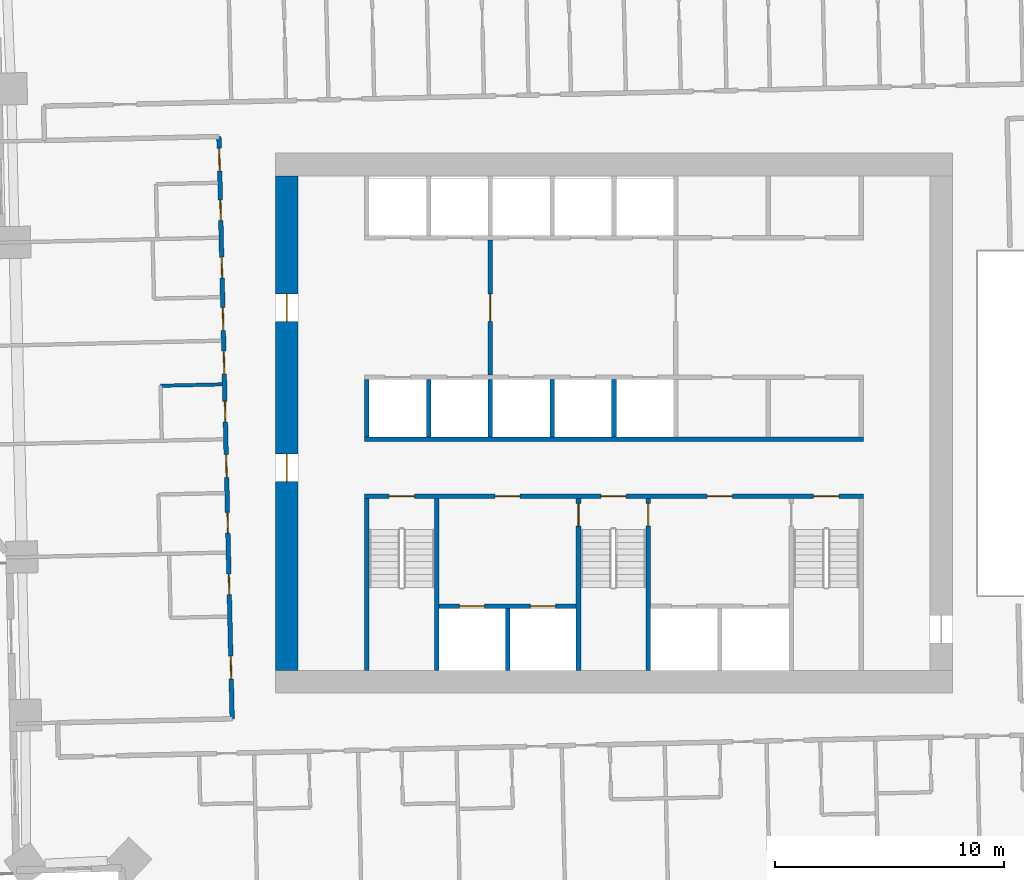
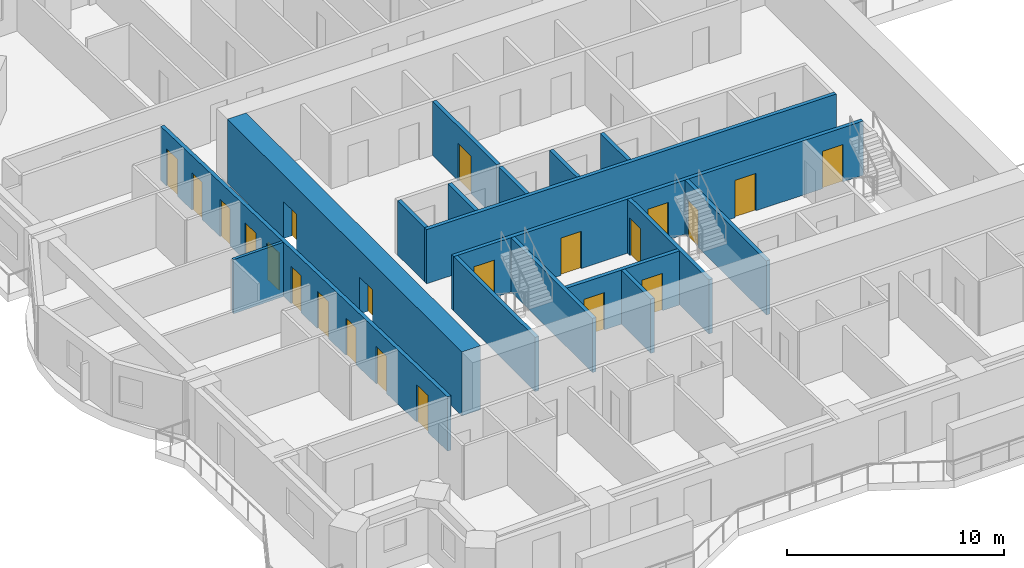
# One storey, part 8 of 17: 22 doors, 17 walls, 22 openings.
"""IFC4 building model written with IfcOpenShell, lengths in metres."""

from ifc_helpers import new_model, si_unit, direction, frame, frame_2d, origin, place, context, subcontext, project, spatial, rectangle, extrude, material, layer, layer_set, type_object, element, fill, save


model = new_model("IFC4")

# Units and contexts
model_context = context("Model", 3, precision=1e-05, world=origin(), true_north=direction((0.0, 1.0)))
body_context = subcontext(model_context, "Body", "Model", "MODEL_VIEW")
ifc_project = project(units=[si_unit("LENGTHUNIT", "METRE"), si_unit("AREAUNIT", "SQUARE_METRE"), si_unit("VOLUMEUNIT", "CUBIC_METRE"), si_unit("PLANEANGLEUNIT", "RADIAN"), si_unit("MASSUNIT", "GRAM", prefix="KILO")], contexts=[model_context])

# Site, building, storey
site_placement = place(None, origin())
site = spatial("IfcSite", under=ifc_project, at=site_placement, CompositionType="ELEMENT")
building_placement = place(site_placement, origin())
building = spatial("IfcBuilding", under=site, at=building_placement, Name="Mangrove Gate Tower", CompositionType="ELEMENT")
storey_placement = place(building_placement, frame((0.0, 0.0, 93.699951171875)))
storey = spatial("IfcBuildingStorey", under=building, at=storey_placement, Name="L23", CompositionType="ELEMENT", Elevation=93.699951171875)

# Wall, opening, door
ifc_material_1 = material(Name="Concrete C32/40", Category="concrete")
ifc_layer_1 = layer(ifc_material_1, 0.199951171875)
ifc_layer_set_1 = layer_set([ifc_layer_1], Name="Core lobby wall 200 C32/40")
wall_type_1 = type_object("IfcWallType", Name="Core lobby wall 200 C32/40", PredefinedType="STANDARD", material=ifc_layer_set_1)
wall_1_placement = place(storey_placement, frame((-5.39990234375, 2.10009765625, 0.0), z_axis=(0.0, 0.0, 1.0), x_axis=(0.0, 1.0, 0.0)))
wall_1 = element("IfcWall", 1, at=wall_1_placement, inside=storey, type_object=wall_type_1, Name="WALL-L23-CORE-35", PredefinedType="STANDARD", context=body_context, shape_type="SweptSolid", body=[
    extrude(rectangle(XDim=5.89990234375, YDim=0.199951171875, at=frame_2d((2.949951171875, 0.0))), origin(), (0.0, 0.0, 1.0), 3.050048828125),
])
opening_1_placement = place(wall_1_placement, frame((2.35009765625, 0.0, 0.0)))
opening_1 = element("IfcOpeningElement", 2, at=opening_1_placement, cuts=wall_1, Name="Opening FL12", PredefinedType="OPENING", context=body_context, shape_type="SweptSolid", body=[
    extrude(rectangle(XDim=1.199951171875, YDim=2.10009765625, at=frame_2d((0.60009765625, 1.050048828125))), frame((0.0, 0.10986328125, 0.0), z_axis=(0.0, -1.0, 0.0), x_axis=(1.0, 0.0, 0.0)), (0.0, 0.0, 1.0), 0.219970703125),
])
ifc_material_2 = material(Name="Fire-rated steel door set", Category="steel")
door_type_1 = type_object("IfcDoorType", Name="Lobby door FD60 1200x2100", OperationType="SINGLE_SWING_LEFT", PredefinedType="DOOR", material=ifc_material_2)
door_1_placement = place(opening_1_placement, origin())
door_1 = element("IfcDoor", 3, at=door_1_placement, inside=storey, type_object=door_type_1, Name="Lobby door lift lobby partition", OperationType="SINGLE_SWING_LEFT", OverallHeight=2.10009765625, OverallWidth=1.199951171875, PredefinedType="DOOR", context=body_context, shape_type="SweptSolid", body=[
    extrude(rectangle(XDim=1.199951171875, YDim=2.10009765625, at=frame_2d((0.60009765625, 1.050048828125))), frame((0.0, 0.02490234375, 0.0), z_axis=(0.0, -1.0, 0.0), x_axis=(1.0, 0.0, 0.0)), (0.0, 0.0, 1.0), 0.050048828125),
])
fill(opening_1, door_1)

# Wall
ifc_material_3 = material(Name="Concrete C70/85", Category="concrete")
ifc_layer_2 = layer(ifc_material_3, 0.199951171875)
ifc_layer_set_2 = layer_set([ifc_layer_2], Name="Core shaft wall 200 C70/85")
wall_type_2 = type_object("IfcWallType", Name="Core shaft wall 200 C70/85", PredefinedType="SHEAR", material=ifc_layer_set_2)
wall_2_placement = place(storey_placement, frame((-10.89990234375, -0.699951171875, 0.0), z_axis=(0.0, 0.0, 1.0), x_axis=(1.0, 0.0, 0.0)))
element("IfcWall", 4, at=wall_2_placement, inside=storey, type_object=wall_type_2, Name="WALL-L23-CORE-6", PredefinedType="SHEAR", context=body_context, shape_type="SweptSolid", body=[
    extrude(rectangle(XDim=21.7998046875, YDim=0.199951171875, at=frame_2d((10.89990234375, 0.0))), origin(), (0.0, 0.0, 1.0), 3.050048828125),
])

# Wall, openings, doors
wall_3_placement = place(storey_placement, frame((-7.64990234375, -8.0, 0.0), z_axis=(0.0, 0.0, 1.0), x_axis=(1.0, 0.0, 0.0)))
wall_3 = element("IfcWall", 5, at=wall_3_placement, inside=storey, type_object=wall_type_2, Name="WALL-L23-CORE-15", PredefinedType="SHEAR", context=body_context, shape_type="SweptSolid", body=[
    extrude(rectangle(XDim=6.0, YDim=0.199951171875, at=frame_2d((3.0, 0.0))), origin(), (0.0, 0.0, 1.0), 3.050048828125),
])
opening_2_placement = place(wall_3_placement, frame((0.89990234375, 0.0, 0.0)))
opening_2 = element("IfcOpeningElement", 6, at=opening_2_placement, cuts=wall_3, Name="Opening LD", PredefinedType="OPENING", context=body_context, shape_type="SweptSolid", body=[
    extrude(rectangle(XDim=1.10009765625, YDim=2.10009765625, at=frame_2d((0.550048828125, 1.050048828125))), frame((0.0, 0.10986328125, 0.0), z_axis=(0.0, -1.0, 0.0), x_axis=(1.0, 0.0, 0.0)), (0.0, 0.0, 1.0), 0.219970703125),
])
opening_3_placement = place(wall_3_placement, frame((4.0, 0.0, 0.0)))
opening_3 = element("IfcOpeningElement", 7, at=opening_3_placement, cuts=wall_3, Name="Opening LD", PredefinedType="OPENING", context=body_context, shape_type="SweptSolid", body=[
    extrude(rectangle(XDim=1.10009765625, YDim=2.10009765625, at=frame_2d((0.550048828125, 1.050048828125))), frame((0.0, 0.10986328125, 0.0), z_axis=(0.0, -1.0, 0.0), x_axis=(1.0, 0.0, 0.0)), (0.0, 0.0, 1.0), 0.219970703125),
])
ifc_material_4 = material(Name="Stainless steel 316", Category="steel")
door_type_2 = type_object("IfcDoorType", Name="Lift landing door 1100x2100", OperationType="SLIDING_TO_LEFT", PredefinedType="DOOR", material=ifc_material_4)
door_2_placement = place(opening_2_placement, origin())
door_2 = element("IfcDoor", 8, at=door_2_placement, inside=storey, type_object=door_type_2, Name="Landing door LD SVL1", OperationType="SLIDING_TO_LEFT", OverallHeight=2.10009765625, OverallWidth=1.10009765625, PredefinedType="DOOR", context=body_context, shape_type="SweptSolid", body=[
    extrude(rectangle(XDim=1.10009765625, YDim=2.10009765625, at=frame_2d((0.550048828125, 1.050048828125))), frame((0.0, 0.02490234375, 0.0), z_axis=(0.0, -1.0, 0.0), x_axis=(1.0, 0.0, 0.0)), (0.0, 0.0, 1.0), 0.050048828125),
])
fill(opening_2, door_2)
door_3_placement = place(opening_3_placement, origin())
door_3 = element("IfcDoor", 9, at=door_3_placement, inside=storey, type_object=door_type_2, Name="Landing door LD SVL2", OperationType="SLIDING_TO_LEFT", OverallHeight=2.10009765625, OverallWidth=1.10009765625, PredefinedType="DOOR", context=body_context, shape_type="SweptSolid", body=[
    extrude(rectangle(XDim=1.10009765625, YDim=2.10009765625, at=frame_2d((0.550048828125, 1.050048828125))), frame((0.0, 0.02490234375, 0.0), z_axis=(0.0, -1.0, 0.0), x_axis=(1.0, 0.0, 0.0)), (0.0, 0.0, 1.0), 0.050048828125),
])
fill(opening_3, door_3)

# Walls
wall_4_placement = place(storey_placement, frame((-4.64990234375, -10.800048828125, 0.0), z_axis=(0.0, 0.0, 1.0), x_axis=(0.0, 1.0, 0.0)))
element("IfcWall", 10, at=wall_4_placement, inside=storey, type_object=wall_type_2, Name="WALL-L23-CORE-16", PredefinedType="SHEAR", context=body_context, shape_type="SweptSolid", body=[
    extrude(rectangle(XDim=2.699951171875, YDim=0.199951171875, at=frame_2d((1.35009765625, 0.0))), origin(), (0.0, 0.0, 1.0), 3.050048828125),
])
for number, where, z_axis, x_axis, name in (
    (11, (-10.800048828125, -0.60009765625, 0.0), (0.0, 0.0, 1.0), (0.0, 1.0, 0.0), "WALL-L23-CORE-19"),
    (12, (-8.10009765625, -0.60009765625, 0.0), (0.0, 0.0, 1.0), (0.0, 1.0, 0.0), "WALL-L23-CORE-20"),
    (13, (-5.39990234375, -0.60009765625, 0.0), (0.0, 0.0, 1.0), (0.0, 1.0, 0.0), "WALL-L23-CORE-21"),
    (14, (-2.699951171875, -0.60009765625, 0.0), (0.0, 0.0, 1.0), (0.0, 1.0, 0.0), "WALL-L23-CORE-22"),
    (15, (0.0, -0.60009765625, 0.0), (0.0, 0.0, 1.0), (0.0, 1.0, 0.0), "WALL-L23-CORE-23"),
):
    element("IfcWall", number, at=place(storey_placement, frame(where, z_axis=z_axis, x_axis=x_axis)), inside=storey, type_object=wall_type_2, Name=name, PredefinedType="SHEAR", context=body_context, shape_type="SweptSolid", body=[
        extrude(rectangle(XDim=2.5, YDim=0.199951171875, at=frame_2d((1.25, 0.0))), origin(), (0.0, 0.0, 1.0), 3.050048828125),
    ])

# Wall, openings, doors
ifc_material_5 = material(Name="Concrete C70/85", Category="concrete")
ifc_layer_3 = layer(ifc_material_5, 0.199951171875)
ifc_layer_set_3 = layer_set([ifc_layer_3], Name="Core stair wall 200 C70/85")
wall_type_3 = type_object("IfcWallType", Name="Core stair wall 200 C70/85", PredefinedType="SHEAR", material=ifc_layer_set_3)
wall_5_placement = place(storey_placement, frame((-10.89990234375, -3.199951171875, 0.0), z_axis=(0.0, 0.0, 1.0), x_axis=(1.0, 0.0, 0.0)))
wall_5 = element("IfcWall", 16, at=wall_5_placement, inside=storey, type_object=wall_type_3, Name="WALL-L23-CORE-5", PredefinedType="SHEAR", context=body_context, shape_type="SweptSolid", body=[
    extrude(rectangle(XDim=21.7998046875, YDim=0.199951171875, at=frame_2d((10.89990234375, 0.0))), origin(), (0.0, 0.0, 1.0), 3.050048828125),
])
opening_4_placement = place(wall_5_placement, frame((1.074951171875, 0.0, 0.0)))
opening_4 = element("IfcOpeningElement", 17, at=opening_4_placement, cuts=wall_5, Name="Opening STD11", PredefinedType="OPENING", context=body_context, shape_type="SweptSolid", body=[
    extrude(rectangle(XDim=1.10009765625, YDim=2.10009765625, at=frame_2d((0.550048828125, 1.050048828125))), frame((0.0, 0.10986328125, 0.0), z_axis=(0.0, -1.0, 0.0), x_axis=(1.0, 0.0, 0.0)), (0.0, 0.0, 1.0), 0.219970703125),
])
opening_5_placement = place(wall_5_placement, frame((10.324951171875, 0.0, 0.0)))
opening_5 = element("IfcOpeningElement", 18, at=opening_5_placement, cuts=wall_5, Name="Opening STD11", PredefinedType="OPENING", context=body_context, shape_type="SweptSolid", body=[
    extrude(rectangle(XDim=1.10009765625, YDim=2.10009765625, at=frame_2d((0.550048828125, 1.050048828125))), frame((0.0, 0.10986328125, 0.0), z_axis=(0.0, -1.0, 0.0), x_axis=(1.0, 0.0, 0.0)), (0.0, 0.0, 1.0), 0.219970703125),
])
opening_6_placement = place(wall_5_placement, frame((19.625, 0.0, 0.0)))
opening_6 = element("IfcOpeningElement", 19, at=opening_6_placement, cuts=wall_5, Name="Opening STD11", PredefinedType="OPENING", context=body_context, shape_type="SweptSolid", body=[
    extrude(rectangle(XDim=1.10009765625, YDim=2.10009765625, at=frame_2d((0.550048828125, 1.050048828125))), frame((0.0, 0.10986328125, 0.0), z_axis=(0.0, -1.0, 0.0), x_axis=(1.0, 0.0, 0.0)), (0.0, 0.0, 1.0), 0.219970703125),
])
opening_7_placement = place(wall_5_placement, frame((5.699951171875, 0.0, 0.0)))
opening_7 = element("IfcOpeningElement", 20, at=opening_7_placement, cuts=wall_5, Name="Opening FL", PredefinedType="OPENING", context=body_context, shape_type="SweptSolid", body=[
    extrude(rectangle(XDim=1.10009765625, YDim=2.10009765625, at=frame_2d((0.550048828125, 1.050048828125))), frame((0.0, 0.10986328125, 0.0), z_axis=(0.0, -1.0, 0.0), x_axis=(1.0, 0.0, 0.0)), (0.0, 0.0, 1.0), 0.219970703125),
])
opening_8_placement = place(wall_5_placement, frame((14.97509765625, 0.0, 0.0)))
opening_8 = element("IfcOpeningElement", 21, at=opening_8_placement, cuts=wall_5, Name="Opening FL", PredefinedType="OPENING", context=body_context, shape_type="SweptSolid", body=[
    extrude(rectangle(XDim=1.10009765625, YDim=2.10009765625, at=frame_2d((0.550048828125, 1.050048828125))), frame((0.0, 0.10986328125, 0.0), z_axis=(0.0, -1.0, 0.0), x_axis=(1.0, 0.0, 0.0)), (0.0, 0.0, 1.0), 0.219970703125),
])
ifc_material_6 = material(Name="Fire-rated steel door set", Category="steel")
door_type_3 = type_object("IfcDoorType", Name="Lobby door FD60 1100x2100", OperationType="SINGLE_SWING_LEFT", PredefinedType="DOOR", material=ifc_material_6)
door_4_placement = place(opening_7_placement, origin())
door_4 = element("IfcDoor", 22, at=door_4_placement, inside=storey, type_object=door_type_3, Name="Lobby door service lobby", OperationType="SINGLE_SWING_LEFT", OverallHeight=2.10009765625, OverallWidth=1.10009765625, PredefinedType="DOOR", context=body_context, shape_type="SweptSolid", body=[
    extrude(rectangle(XDim=1.10009765625, YDim=2.10009765625, at=frame_2d((0.550048828125, 1.050048828125))), frame((0.0, 0.02490234375, 0.0), z_axis=(0.0, -1.0, 0.0), x_axis=(1.0, 0.0, 0.0)), (0.0, 0.0, 1.0), 0.050048828125),
])
fill(opening_7, door_4)
door_5_placement = place(opening_8_placement, origin())
door_5 = element("IfcDoor", 23, at=door_5_placement, inside=storey, type_object=door_type_3, Name="Lobby door fire-fighting lobby", OperationType="SINGLE_SWING_LEFT", OverallHeight=2.10009765625, OverallWidth=1.10009765625, PredefinedType="DOOR", context=body_context, shape_type="SweptSolid", body=[
    extrude(rectangle(XDim=1.10009765625, YDim=2.10009765625, at=frame_2d((0.550048828125, 1.050048828125))), frame((0.0, 0.02490234375, 0.0), z_axis=(0.0, -1.0, 0.0), x_axis=(1.0, 0.0, 0.0)), (0.0, 0.0, 1.0), 0.050048828125),
])
fill(opening_8, door_5)
ifc_material_7 = material(Name="Fire-rated steel door set", Category="steel")
door_type_4 = type_object("IfcDoorType", Name="Stair door FD60 1100x2100", OperationType="SINGLE_SWING_RIGHT", PredefinedType="DOOR", material=ifc_material_7)
door_6_placement = place(opening_4_placement, origin())
door_6 = element("IfcDoor", 24, at=door_6_placement, inside=storey, type_object=door_type_4, Name="Stair door Stair 1", OperationType="SINGLE_SWING_RIGHT", OverallHeight=2.10009765625, OverallWidth=1.10009765625, PredefinedType="DOOR", context=body_context, shape_type="SweptSolid", body=[
    extrude(rectangle(XDim=1.10009765625, YDim=2.10009765625, at=frame_2d((0.550048828125, 1.050048828125))), frame((0.0, 0.02490234375, 0.0), z_axis=(0.0, -1.0, 0.0), x_axis=(1.0, 0.0, 0.0)), (0.0, 0.0, 1.0), 0.050048828125),
])
fill(opening_4, door_6)
door_7_placement = place(opening_5_placement, origin())
door_7 = element("IfcDoor", 25, at=door_7_placement, inside=storey, type_object=door_type_4, Name="Stair door Stair 2", OperationType="SINGLE_SWING_RIGHT", OverallHeight=2.10009765625, OverallWidth=1.10009765625, PredefinedType="DOOR", context=body_context, shape_type="SweptSolid", body=[
    extrude(rectangle(XDim=1.10009765625, YDim=2.10009765625, at=frame_2d((0.550048828125, 1.050048828125))), frame((0.0, 0.02490234375, 0.0), z_axis=(0.0, -1.0, 0.0), x_axis=(1.0, 0.0, 0.0)), (0.0, 0.0, 1.0), 0.050048828125),
])
fill(opening_5, door_7)
door_8_placement = place(opening_6_placement, origin())
door_8 = element("IfcDoor", 26, at=door_8_placement, inside=storey, type_object=door_type_4, Name="Stair door Stair 3", OperationType="SINGLE_SWING_RIGHT", OverallHeight=2.10009765625, OverallWidth=1.10009765625, PredefinedType="DOOR", context=body_context, shape_type="SweptSolid", body=[
    extrude(rectangle(XDim=1.10009765625, YDim=2.10009765625, at=frame_2d((0.550048828125, 1.050048828125))), frame((0.0, 0.02490234375, 0.0), z_axis=(0.0, -1.0, 0.0), x_axis=(1.0, 0.0, 0.0)), (0.0, 0.0, 1.0), 0.050048828125),
])
fill(opening_6, door_8)

# Walls
for number, where, z_axis, x_axis, name in (
    (27, (-10.800048828125, -10.800048828125, 0.0), (0.0, 0.0, 1.0), (0.0, 1.0, 0.0), "WALL-L23-CORE-9"),
    (28, (-7.75, -10.800048828125, 0.0), (0.0, 0.0, 1.0), (0.0, 1.0, 0.0), "WALL-L23-CORE-10"),
):
    element("IfcWall", number, at=place(storey_placement, frame(where, z_axis=z_axis, x_axis=x_axis)), inside=storey, type_object=wall_type_3, Name=name, PredefinedType="SHEAR", context=body_context, shape_type="SweptSolid", body=[
        extrude(rectangle(XDim=7.5, YDim=0.199951171875, at=frame_2d((3.75, 0.0))), origin(), (0.0, 0.0, 1.0), 3.050048828125),
    ])

# Wall, opening, door
wall_6_placement = place(storey_placement, frame((-1.550048828125, -10.800048828125, 0.0), z_axis=(0.0, 0.0, 1.0), x_axis=(0.0, 1.0, 0.0)))
wall_6 = element("IfcWall", 29, at=wall_6_placement, inside=storey, type_object=wall_type_3, Name="WALL-L23-CORE-11", PredefinedType="SHEAR", context=body_context, shape_type="SweptSolid", body=[
    extrude(rectangle(XDim=7.5, YDim=0.199951171875, at=frame_2d((3.75, 0.0))), origin(), (0.0, 0.0, 1.0), 3.050048828125),
])
opening_9_placement = place(wall_6_placement, frame((6.300048828125, 0.0, 0.0)))
opening_9 = element("IfcOpeningElement", 30, at=opening_9_placement, cuts=wall_6, Name="Opening STD10", PredefinedType="OPENING", context=body_context, shape_type="SweptSolid", body=[
    extrude(rectangle(XDim=1.0, YDim=2.10009765625, at=frame_2d((0.5, 1.050048828125))), frame((0.0, 0.10986328125, 0.0), z_axis=(0.0, -1.0, 0.0), x_axis=(1.0, 0.0, 0.0)), (0.0, 0.0, 1.0), 0.219970703125),
])
ifc_material_8 = material(Name="Fire-rated steel door set", Category="steel")
door_type_5 = type_object("IfcDoorType", Name="Stair door FD60 1000x2100", OperationType="SINGLE_SWING_RIGHT", PredefinedType="DOOR", material=ifc_material_8)
door_9_placement = place(opening_9_placement, origin())
door_9 = element("IfcDoor", 31, at=door_9_placement, inside=storey, type_object=door_type_5, Name="Stair door Stair 2 from service lobby", OperationType="SINGLE_SWING_RIGHT", OverallHeight=2.10009765625, OverallWidth=1.0, PredefinedType="DOOR", context=body_context, shape_type="SweptSolid", body=[
    extrude(rectangle(XDim=1.0, YDim=2.10009765625, at=frame_2d((0.5, 1.050048828125))), frame((0.0, 0.02490234375, 0.0), z_axis=(0.0, -1.0, 0.0), x_axis=(1.0, 0.0, 0.0)), (0.0, 0.0, 1.0), 0.050048828125),
])
fill(opening_9, door_9)

wall_7_placement = place(storey_placement, frame((1.5, -10.800048828125, 0.0), z_axis=(0.0, 0.0, 1.0), x_axis=(0.0, 1.0, 0.0)))
wall_7 = element("IfcWall", 32, at=wall_7_placement, inside=storey, type_object=wall_type_3, Name="WALL-L23-CORE-12", PredefinedType="SHEAR", context=body_context, shape_type="SweptSolid", body=[
    extrude(rectangle(XDim=7.5, YDim=0.199951171875, at=frame_2d((3.75, 0.0))), origin(), (0.0, 0.0, 1.0), 3.050048828125),
])
opening_10_placement = place(wall_7_placement, frame((6.300048828125, 0.0, 0.0)))
opening_10 = element("IfcOpeningElement", 33, at=opening_10_placement, cuts=wall_7, Name="Opening STD10", PredefinedType="OPENING", context=body_context, shape_type="SweptSolid", body=[
    extrude(rectangle(XDim=1.0, YDim=2.10009765625, at=frame_2d((0.5, 1.050048828125))), frame((0.0, 0.10986328125, 0.0), z_axis=(0.0, -1.0, 0.0), x_axis=(1.0, 0.0, 0.0)), (0.0, 0.0, 1.0), 0.219970703125),
])
door_10_placement = place(opening_10_placement, origin())
door_10 = element("IfcDoor", 34, at=door_10_placement, inside=storey, type_object=door_type_5, Name="Stair door Stair 2 from fire-fighting lobby", OperationType="SINGLE_SWING_RIGHT", OverallHeight=2.10009765625, OverallWidth=1.0, PredefinedType="DOOR", context=body_context, shape_type="SweptSolid", body=[
    extrude(rectangle(XDim=1.0, YDim=2.10009765625, at=frame_2d((0.5, 1.050048828125))), frame((0.0, 0.02490234375, 0.0), z_axis=(0.0, -1.0, 0.0), x_axis=(1.0, 0.0, 0.0)), (0.0, 0.0, 1.0), 0.050048828125),
])
fill(opening_10, door_10)

# Wall, openings, doors
ifc_material_9 = material(Name="Concrete C70/85", Category="concrete")
ifc_layer_4 = layer(ifc_material_9, 1.0)
ifc_layer_set_4 = layer_set([ifc_layer_4], Name="Core wall 1000 C70/85")
wall_type_4 = type_object("IfcWallType", Name="Core wall 1000 C70/85", PredefinedType="SHEAR", material=ifc_layer_set_4)
wall_8_placement = place(storey_placement, frame((-14.300048828125, -10.800048828125, 0.0), z_axis=(0.0, 0.0, 1.0), x_axis=(0.0, 1.0, 0.0)))
wall_8 = element("IfcWall", 35, at=wall_8_placement, inside=storey, type_object=wall_type_4, Name="WALL-L23-CORE-3", PredefinedType="SHEAR", context=body_context, shape_type="SweptSolid", body=[
    extrude(rectangle(XDim=21.60009765625, YDim=1.0, at=frame_2d((10.800048828125, 0.0))), origin(), (0.0, 0.0, 1.0), 3.60009765625),
])
opening_11_placement = place(wall_8_placement, frame((8.25, 0.0, 0.0)))
opening_11 = element("IfcOpeningElement", 36, at=opening_11_placement, cuts=wall_8, Name="Opening CD", PredefinedType="OPENING", context=body_context, shape_type="SweptSolid", body=[
    extrude(rectangle(XDim=1.199951171875, YDim=2.10009765625, at=frame_2d((0.60009765625, 1.050048828125))), frame((0.0, 0.510009765625, 0.0), z_axis=(0.0, -1.0, 0.0), x_axis=(1.0, 0.0, 0.0)), (0.0, 0.0, 1.0), 1.02001953125),
])
opening_12_placement = place(wall_8_placement, frame((15.25, 0.0, 0.0)))
opening_12 = element("IfcOpeningElement", 37, at=opening_12_placement, cuts=wall_8, Name="Opening CD", PredefinedType="OPENING", context=body_context, shape_type="SweptSolid", body=[
    extrude(rectangle(XDim=1.199951171875, YDim=2.10009765625, at=frame_2d((0.60009765625, 1.050048828125))), frame((0.0, 0.510009765625, 0.0), z_axis=(0.0, -1.0, 0.0), x_axis=(1.0, 0.0, 0.0)), (0.0, 0.0, 1.0), 1.02001953125),
])
ifc_material_10 = material(Name="Fire-rated steel door set", Category="steel")
door_type_6 = type_object("IfcDoorType", Name="Core ring door FD60 1200x2100", OperationType="DOUBLE_DOOR_SINGLE_SWING", PredefinedType="DOOR", material=ifc_material_10)
door_11_placement = place(opening_11_placement, origin())
door_11 = element("IfcDoor", 38, at=door_11_placement, inside=storey, type_object=door_type_6, Name="Core ring door W1", OperationType="DOUBLE_DOOR_SINGLE_SWING", OverallHeight=2.10009765625, OverallWidth=1.199951171875, PredefinedType="DOOR", context=body_context, shape_type="SweptSolid", body=[
    extrude(rectangle(XDim=1.199951171875, YDim=2.10009765625, at=frame_2d((0.60009765625, 1.050048828125))), frame((0.0, 0.02490234375, 0.0), z_axis=(0.0, -1.0, 0.0), x_axis=(1.0, 0.0, 0.0)), (0.0, 0.0, 1.0), 0.050048828125),
])
fill(opening_11, door_11)
door_12_placement = place(opening_12_placement, origin())
door_12 = element("IfcDoor", 39, at=door_12_placement, inside=storey, type_object=door_type_6, Name="Core ring door W2", OperationType="DOUBLE_DOOR_SINGLE_SWING", OverallHeight=2.10009765625, OverallWidth=1.199951171875, PredefinedType="DOOR", context=body_context, shape_type="SweptSolid", body=[
    extrude(rectangle(XDim=1.199951171875, YDim=2.10009765625, at=frame_2d((0.60009765625, 1.050048828125))), frame((0.0, 0.02490234375, 0.0), z_axis=(0.0, -1.0, 0.0), x_axis=(1.0, 0.0, 0.0)), (0.0, 0.0, 1.0), 0.050048828125),
])
fill(opening_12, door_12)

ifc_material_11 = material(Name="Gypsum board on steel stud, EI 60", Category="steel")
ifc_layer_5 = layer(ifc_material_11, 0.199951171875)
ifc_layer_set_5 = layer_set([ifc_layer_5], Name="Corridor wall EI 60")
wall_type_5 = type_object("IfcWallType", Name="Corridor wall EI 60", PredefinedType="PARTITIONING", material=ifc_layer_set_5)
wall_9_placement = place(storey_placement, frame((-16.68408203125, -12.9189453125, 0.0), z_axis=(0.0, 0.0, 1.0), x_axis=(-0.022706151961, 0.999742182097, 0.0)))
wall_9 = element("IfcWall", 40, at=wall_9_placement, inside=storey, type_object=wall_type_5, Name="WALL-L23-034", PredefinedType="PARTITIONING", context=body_context, shape_type="SweptSolid", body=[
    extrude(rectangle(XDim=25.450439453125, YDim=0.199951171875, at=frame_2d((12.72509765625, 0.0))), origin(), (0.0, 0.0, 1.0), 3.050048828125),
])
opening_13_placement = place(wall_9_placement, frame((23.93798828125, 0.0, 0.0)))
opening_13 = element("IfcOpeningElement", 41, at=opening_13_placement, cuts=wall_9, Name="Opening AD", PredefinedType="OPENING", context=body_context, shape_type="SweptSolid", body=[
    extrude(rectangle(XDim=1.0, YDim=2.10009765625, at=frame_2d((0.5, 1.050048828125))), frame((0.0, 0.10986328125, 0.0), z_axis=(0.0, -1.0, 0.0), x_axis=(1.0, 0.0, 0.0)), (0.0, 0.0, 1.0), 0.219970703125),
])
opening_14_placement = place(wall_9_placement, frame((21.77490234375, 0.0, 0.0)))
opening_14 = element("IfcOpeningElement", 42, at=opening_14_placement, cuts=wall_9, Name="Opening SD", PredefinedType="OPENING", context=body_context, shape_type="SweptSolid", body=[
    extrude(rectangle(XDim=0.89990234375, YDim=2.10009765625, at=frame_2d((0.449951171875, 1.050048828125))), frame((0.0, 0.10986328125, 0.0), z_axis=(0.0, -1.0, 0.0), x_axis=(1.0, 0.0, 0.0)), (0.0, 0.0, 1.0), 0.219970703125),
])
opening_15_placement = place(wall_9_placement, frame((16.97509765625, 0.0, 0.0)))
opening_15 = element("IfcOpeningElement", 43, at=opening_15_placement, cuts=wall_9, Name="Opening AD", PredefinedType="OPENING", context=body_context, shape_type="SweptSolid", body=[
    extrude(rectangle(XDim=1.0, YDim=2.10009765625, at=frame_2d((0.5, 1.050048828125))), frame((0.0, 0.10986328125, 0.0), z_axis=(0.0, -1.0, 0.0), x_axis=(1.0, 0.0, 0.0)), (0.0, 0.0, 1.0), 0.219970703125),
])
opening_16_placement = place(wall_9_placement, frame((19.27490234375, 0.0, 0.0)))
opening_16 = element("IfcOpeningElement", 44, at=opening_16_placement, cuts=wall_9, Name="Opening SD", PredefinedType="OPENING", context=body_context, shape_type="SweptSolid", body=[
    extrude(rectangle(XDim=0.89990234375, YDim=2.10009765625, at=frame_2d((0.449951171875, 1.050048828125))), frame((0.0, 0.10986328125, 0.0), z_axis=(0.0, -1.0, 0.0), x_axis=(1.0, 0.0, 0.0)), (0.0, 0.0, 1.0), 0.219970703125),
])
opening_17_placement = place(wall_9_placement, frame((15.074951171875, 0.0, 0.0)))
opening_17 = element("IfcOpeningElement", 45, at=opening_17_placement, cuts=wall_9, Name="Opening AD", PredefinedType="OPENING", context=body_context, shape_type="SweptSolid", body=[
    extrude(rectangle(XDim=1.0, YDim=2.10009765625, at=frame_2d((0.5, 1.050048828125))), frame((0.0, 0.10986328125, 0.0), z_axis=(0.0, -1.0, 0.0), x_axis=(1.0, 0.0, 0.0)), (0.0, 0.0, 1.0), 0.219970703125),
])
opening_18_placement = place(wall_9_placement, frame((12.97509765625, 0.0, 0.0)))
opening_18 = element("IfcOpeningElement", 46, at=opening_18_placement, cuts=wall_9, Name="Opening SD", PredefinedType="OPENING", context=body_context, shape_type="SweptSolid", body=[
    extrude(rectangle(XDim=0.89990234375, YDim=2.10009765625, at=frame_2d((0.449951171875, 1.050048828125))), frame((0.0, 0.10986328125, 0.0), z_axis=(0.0, -1.0, 0.0), x_axis=(1.0, 0.0, 0.0)), (0.0, 0.0, 1.0), 0.219970703125),
])
opening_19_placement = place(wall_9_placement, frame((10.550048828125, 0.0, 0.0)))
opening_19 = element("IfcOpeningElement", 47, at=opening_19_placement, cuts=wall_9, Name="Opening AD", PredefinedType="OPENING", context=body_context, shape_type="SweptSolid", body=[
    extrude(rectangle(XDim=1.0, YDim=2.10009765625, at=frame_2d((0.5, 1.050048828125))), frame((0.0, 0.10986328125, 0.0), z_axis=(0.0, -1.0, 0.0), x_axis=(1.0, 0.0, 0.0)), (0.0, 0.0, 1.0), 0.219970703125),
])
opening_20_placement = place(wall_9_placement, frame((8.125, 0.0, 0.0)))
opening_20 = element("IfcOpeningElement", 48, at=opening_20_placement, cuts=wall_9, Name="Opening SD", PredefinedType="OPENING", context=body_context, shape_type="SweptSolid", body=[
    extrude(rectangle(XDim=0.89990234375, YDim=2.10009765625, at=frame_2d((0.449951171875, 1.050048828125))), frame((0.0, 0.10986328125, 0.0), z_axis=(0.0, -1.0, 0.0), x_axis=(1.0, 0.0, 0.0)), (0.0, 0.0, 1.0), 0.219970703125),
])
opening_21_placement = place(wall_9_placement, frame((1.737060546875, 0.0, 0.0)))
opening_21 = element("IfcOpeningElement", 49, at=opening_21_placement, cuts=wall_9, Name="Opening AD", PredefinedType="OPENING", context=body_context, shape_type="SweptSolid", body=[
    extrude(rectangle(XDim=1.0, YDim=2.10009765625, at=frame_2d((0.5, 1.050048828125))), frame((0.0, 0.10986328125, 0.0), z_axis=(0.0, -1.0, 0.0), x_axis=(1.0, 0.0, 0.0)), (0.0, 0.0, 1.0), 0.219970703125),
])
opening_22_placement = place(wall_9_placement, frame((5.425048828125, 0.0, 0.0)))
opening_22 = element("IfcOpeningElement", 50, at=opening_22_placement, cuts=wall_9, Name="Opening SD", PredefinedType="OPENING", context=body_context, shape_type="SweptSolid", body=[
    extrude(rectangle(XDim=0.89990234375, YDim=2.10009765625, at=frame_2d((0.449951171875, 1.050048828125))), frame((0.0, 0.10986328125, 0.0), z_axis=(0.0, -1.0, 0.0), x_axis=(1.0, 0.0, 0.0)), (0.0, 0.0, 1.0), 0.219970703125),
])
ifc_material_12 = material(Name="Timber door leaf", Category="wood")
door_type_7 = type_object("IfcDoorType", Name="Amenity door 1000", OperationType="SINGLE_SWING_LEFT", PredefinedType="DOOR", material=ifc_material_12)
door_13_placement = place(opening_13_placement, origin())
door_13 = element("IfcDoor", 51, at=door_13_placement, inside=storey, type_object=door_type_7, Name="DOOR-L23-STU-c5a", OperationType="SINGLE_SWING_LEFT", OverallHeight=2.10009765625, OverallWidth=1.0, PredefinedType="DOOR", context=body_context, shape_type="SweptSolid", body=[
    extrude(rectangle(XDim=1.0, YDim=2.10009765625, at=frame_2d((0.5, 1.050048828125))), frame((0.0, 0.02490234375, 0.0), z_axis=(0.0, -1.0, 0.0), x_axis=(1.0, 0.0, 0.0)), (0.0, 0.0, 1.0), 0.050048828125),
])
fill(opening_13, door_13)
door_14_placement = place(opening_15_placement, origin())
door_14 = element("IfcDoor", 52, at=door_14_placement, inside=storey, type_object=door_type_7, Name="DOOR-L23-STU-c5b", OperationType="SINGLE_SWING_RIGHT", OverallHeight=2.10009765625, OverallWidth=1.0, PredefinedType="DOOR", context=body_context, shape_type="SweptSolid", body=[
    extrude(rectangle(XDim=1.0, YDim=2.10009765625, at=frame_2d((0.5, 1.050048828125))), frame((0.0, 0.02490234375, 0.0), z_axis=(0.0, -1.0, 0.0), x_axis=(1.0, 0.0, 0.0)), (0.0, 0.0, 1.0), 0.050048828125),
])
fill(opening_15, door_14)
door_15_placement = place(opening_17_placement, origin())
door_15 = element("IfcDoor", 53, at=door_15_placement, inside=storey, type_object=door_type_7, Name="DOOR-L23-STU-c5c", OperationType="SINGLE_SWING_LEFT", OverallHeight=2.10009765625, OverallWidth=1.0, PredefinedType="DOOR", context=body_context, shape_type="SweptSolid", body=[
    extrude(rectangle(XDim=1.0, YDim=2.10009765625, at=frame_2d((0.5, 1.050048828125))), frame((0.0, 0.02490234375, 0.0), z_axis=(0.0, -1.0, 0.0), x_axis=(1.0, 0.0, 0.0)), (0.0, 0.0, 1.0), 0.050048828125),
])
fill(opening_17, door_15)
door_16_placement = place(opening_19_placement, origin())
door_16 = element("IfcDoor", 54, at=door_16_placement, inside=storey, type_object=door_type_7, Name="DOOR-L23-LNG-c5b", OperationType="SINGLE_SWING_RIGHT", OverallHeight=2.10009765625, OverallWidth=1.0, PredefinedType="DOOR", context=body_context, shape_type="SweptSolid", body=[
    extrude(rectangle(XDim=1.0, YDim=2.10009765625, at=frame_2d((0.5, 1.050048828125))), frame((0.0, 0.02490234375, 0.0), z_axis=(0.0, -1.0, 0.0), x_axis=(1.0, 0.0, 0.0)), (0.0, 0.0, 1.0), 0.050048828125),
])
fill(opening_19, door_16)
door_17_placement = place(opening_21_placement, origin())
door_17 = element("IfcDoor", 55, at=door_17_placement, inside=storey, type_object=door_type_7, Name="DOOR-L23-LNG-c5c", OperationType="SINGLE_SWING_LEFT", OverallHeight=2.10009765625, OverallWidth=1.0, PredefinedType="DOOR", context=body_context, shape_type="SweptSolid", body=[
    extrude(rectangle(XDim=1.0, YDim=2.10009765625, at=frame_2d((0.5, 1.050048828125))), frame((0.0, 0.02490234375, 0.0), z_axis=(0.0, -1.0, 0.0), x_axis=(1.0, 0.0, 0.0)), (0.0, 0.0, 1.0), 0.050048828125),
])
fill(opening_21, door_17)
ifc_material_13 = material(Name="Timber door leaf", Category="wood")
door_type_8 = type_object("IfcDoorType", Name="Service room door 900", OperationType="SINGLE_SWING_LEFT", PredefinedType="DOOR", material=ifc_material_13)
door_18_placement = place(opening_14_placement, origin())
door_18 = element("IfcDoor", 56, at=door_18_placement, inside=storey, type_object=door_type_8, Name="DOOR-L23-WC-c5a", OperationType="SINGLE_SWING_LEFT", OverallHeight=2.10009765625, OverallWidth=0.89990234375, PredefinedType="DOOR", context=body_context, shape_type="SweptSolid", body=[
    extrude(rectangle(XDim=0.89990234375, YDim=2.10009765625, at=frame_2d((0.449951171875, 1.050048828125))), frame((0.0, 0.02490234375, 0.0), z_axis=(0.0, -1.0, 0.0), x_axis=(1.0, 0.0, 0.0)), (0.0, 0.0, 1.0), 0.050048828125),
])
fill(opening_14, door_18)
door_19_placement = place(opening_16_placement, origin())
door_19 = element("IfcDoor", 57, at=door_19_placement, inside=storey, type_object=door_type_8, Name="DOOR-L23-AWC-c5a", OperationType="SINGLE_SWING_RIGHT", OverallHeight=2.10009765625, OverallWidth=0.89990234375, PredefinedType="DOOR", context=body_context, shape_type="SweptSolid", body=[
    extrude(rectangle(XDim=0.89990234375, YDim=2.10009765625, at=frame_2d((0.449951171875, 1.050048828125))), frame((0.0, 0.02490234375, 0.0), z_axis=(0.0, -1.0, 0.0), x_axis=(1.0, 0.0, 0.0)), (0.0, 0.0, 1.0), 0.050048828125),
])
fill(opening_16, door_19)
door_20_placement = place(opening_18_placement, origin())
door_20 = element("IfcDoor", 58, at=door_20_placement, inside=storey, type_object=door_type_8, Name="DOOR-L23-WC-c5b", OperationType="SINGLE_SWING_LEFT", OverallHeight=2.10009765625, OverallWidth=0.89990234375, PredefinedType="DOOR", context=body_context, shape_type="SweptSolid", body=[
    extrude(rectangle(XDim=0.89990234375, YDim=2.10009765625, at=frame_2d((0.449951171875, 1.050048828125))), frame((0.0, 0.02490234375, 0.0), z_axis=(0.0, -1.0, 0.0), x_axis=(1.0, 0.0, 0.0)), (0.0, 0.0, 1.0), 0.050048828125),
])
fill(opening_18, door_20)
door_21_placement = place(opening_20_placement, origin())
door_21 = element("IfcDoor", 59, at=door_21_placement, inside=storey, type_object=door_type_8, Name="DOOR-L23-AWC-c5b", OperationType="SINGLE_SWING_RIGHT", OverallHeight=2.10009765625, OverallWidth=0.89990234375, PredefinedType="DOOR", context=body_context, shape_type="SweptSolid", body=[
    extrude(rectangle(XDim=0.89990234375, YDim=2.10009765625, at=frame_2d((0.449951171875, 1.050048828125))), frame((0.0, 0.02490234375, 0.0), z_axis=(0.0, -1.0, 0.0), x_axis=(1.0, 0.0, 0.0)), (0.0, 0.0, 1.0), 0.050048828125),
])
fill(opening_20, door_21)
door_22_placement = place(opening_22_placement, origin())
door_22 = element("IfcDoor", 60, at=door_22_placement, inside=storey, type_object=door_type_8, Name="DOOR-L23-LDY-c5a", OperationType="SINGLE_SWING_LEFT", OverallHeight=2.10009765625, OverallWidth=0.89990234375, PredefinedType="DOOR", context=body_context, shape_type="SweptSolid", body=[
    extrude(rectangle(XDim=0.89990234375, YDim=2.10009765625, at=frame_2d((0.449951171875, 1.050048828125))), frame((0.0, 0.02490234375, 0.0), z_axis=(0.0, -1.0, 0.0), x_axis=(1.0, 0.0, 0.0)), (0.0, 0.0, 1.0), 0.050048828125),
])
fill(opening_22, door_22)

# Wall
ifc_material_14 = material(Name="Gypsum board on steel stud, EI 60", Category="steel")
ifc_layer_6 = layer(ifc_material_14, 0.14990234375)
ifc_layer_set_6 = layer_set([ifc_layer_6], Name="Party wall 150 EI 60")
wall_type_6 = type_object("IfcWallType", Name="Party wall 150 EI 60", PredefinedType="PARTITIONING", material=ifc_layer_set_6)
wall_10_placement = place(storey_placement, frame((-19.81005859375, 1.634033203125, 0.0), z_axis=(0.0, 0.0, 1.0), x_axis=(0.999736155505, 0.022969966847, 0.0)))
element("IfcWall", 61, at=wall_10_placement, inside=storey, type_object=wall_type_6, Name="WALL-L23-045", PredefinedType="PARTITIONING", context=body_context, shape_type="SweptSolid", body=[
    extrude(rectangle(XDim=2.69970703125, YDim=0.14990234375, at=frame_2d((1.349853515625, 0.0))), origin(), (0.0, 0.0, 1.0), 3.050048828125),
])

save(model, "model.ifc")
